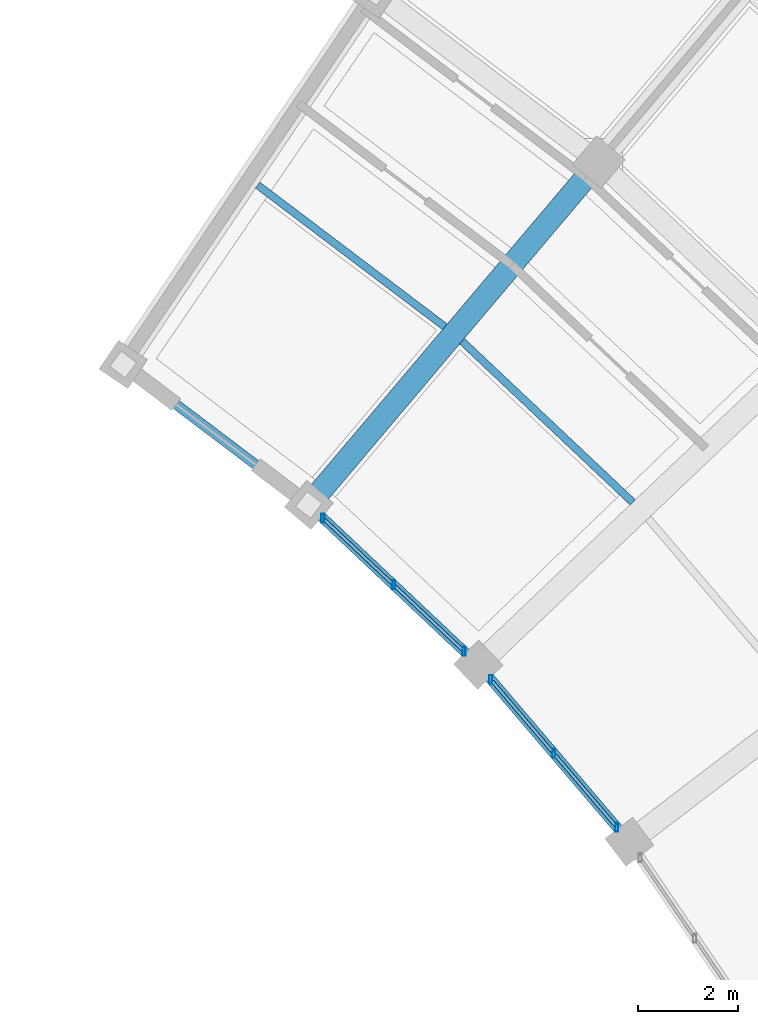
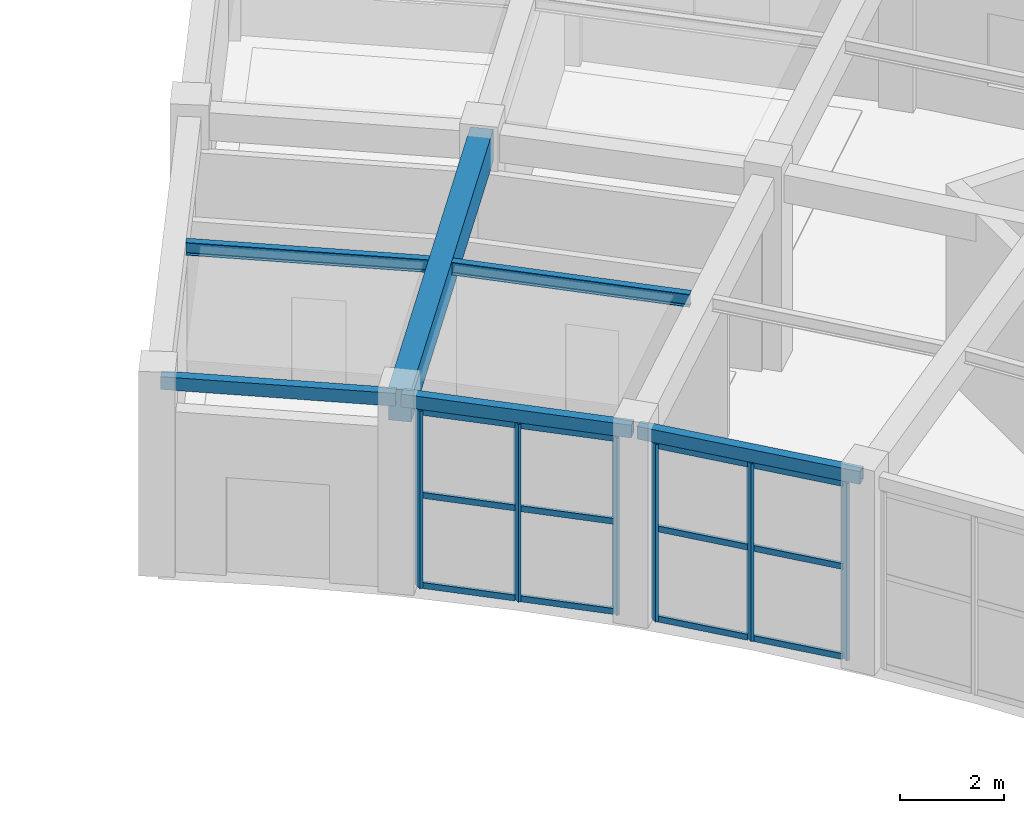
# One storey, part 73 of 108: 18 members, 6 beams, 2 elements without a shape of their own.
"""IFC4 building model written with IfcOpenShell, lengths in metres."""

from ifc_helpers import new_model, si_unit, direction, frame, origin, origin_2d, place, context, subcontext, project, spatial, rectangle, hollow_rectangle, i_section, extrude, material, material_profile, profile_set, type_object, element, aggregate, save


model = new_model("IFC4")

# Units and contexts
model_context = context("Model", 3, precision=1e-05, world=origin(), true_north=direction((0.0, 1.0)))
body_context = subcontext(model_context, "Body", "Model", "MODEL_VIEW")
ifc_project = project(units=[si_unit("LENGTHUNIT", "METRE"), si_unit("AREAUNIT", "SQUARE_METRE"), si_unit("VOLUMEUNIT", "CUBIC_METRE"), si_unit("PLANEANGLEUNIT", "RADIAN"), si_unit("MASSUNIT", "GRAM", prefix="KILO")], contexts=[model_context])

# Site, building, storey
site_placement = place(None, origin())
site = spatial("IfcSite", under=ifc_project, at=site_placement, CompositionType="ELEMENT")
building_placement = place(site_placement, origin())
building = spatial("IfcBuilding", under=site, at=building_placement, Name="Tarnveldt Headland Concert Hall", CompositionType="ELEMENT")
storey_placement = place(building_placement, origin())
storey = spatial("IfcBuildingStorey", under=building, at=storey_placement, Name="L00", CompositionType="ELEMENT", Elevation=0.0)

# Beam
ifc_material_1 = material(Name="Concrete C40/50", Category="concrete")
ifc_material_profile_1 = material_profile(ifc_material_1, rectangle(XDim=0.449951171875, YDim=0.75, at=origin_2d()), Name="RC 450x750", Category="concrete")
ifc_profile_set_1 = profile_set([ifc_material_profile_1], Name="Concrete C40/50")
beam_type_1 = type_object("IfcBeamType", Name="CB-450x750", PredefinedType="BEAM", material=ifc_profile_set_1)
beam_1_placement = place(storey_placement, frame((145.30615234375, 92.87841796875, 4.14501953125), z_axis=(0.645759819996, 0.763540604604, 0.0), x_axis=(-0.763540604604, 0.645759819996, 0.0)))
element("IfcBeam", 1, at=beam_1_placement, inside=storey, type_object=beam_type_1, Name="Framing beam L00-543", PredefinedType="BEAM", context=body_context, shape_type="SweptSolid", body=[
    extrude(rectangle(XDim=0.449951171875, YDim=0.75, at=origin_2d()), origin(), (0.0, 0.0, 1.0), 8.880126953125),
])

# Curtain wall, members
ifc_material_2 = material(Name="Marine-anodised aluminium EN AW-6063-T6", Category="aluminium")
curtain_wall_type = type_object("IfcCurtainWallType", Name="CW-C1", PredefinedType="NOTDEFINED", material=ifc_material_2)
curtain_wall_1_placement = place(storey_placement, origin())
curtain_wall_1 = element("IfcCurtainWall", 2, at=curtain_wall_1_placement, inside=storey, type_object=curtain_wall_type, Name="Curtain wall CW-L00-107", PredefinedType="NOTDEFINED")
ifc_material_profile_2 = material_profile(ifc_material_2, hollow_rectangle(XDim=0.06494140625, YDim=0.179931640625, WallThickness=0.00390625, at=origin_2d()), Name="ALU MULLION 65x180x4", Category="aluminium")
ifc_profile_set_2 = profile_set([ifc_material_profile_2], Name="Marine-anodised aluminium EN AW-6063-T6")
member_type_1 = type_object("IfcMemberType", Name="ML-180", PredefinedType="MULLION", material=ifc_profile_set_2)
member_1_placement = place(storey_placement, frame((151.437255859375, 86.374267578125, 0.0), z_axis=(0.0, 0.0, 1.0), x_axis=(1.0, 0.0, 0.0)))
member_1 = element("IfcMember", 3, at=member_1_placement, type_object=member_type_1, Name="Mullion CW-L00-107-1", PredefinedType="MULLION", context=body_context, shape_type="SweptSolid", body=[
    extrude(hollow_rectangle(XDim=0.06494140625, YDim=0.179931640625, WallThickness=0.00390625, at=origin_2d()), origin(), (0.0, 0.0, 1.0), 4.159912109375),
])
member_2_placement = place(storey_placement, frame((150.17626953125, 87.853515625, 0.0), z_axis=(0.0, 0.0, 1.0), x_axis=(1.0, 0.0, 0.0)))
member_2 = element("IfcMember", 4, at=member_2_placement, type_object=member_type_1, Name="Mullion CW-L00-107-2", PredefinedType="MULLION", context=body_context, shape_type="SweptSolid", body=[
    extrude(hollow_rectangle(XDim=0.06494140625, YDim=0.179931640625, WallThickness=0.00390625, at=origin_2d()), origin(), (0.0, 0.0, 1.0), 4.159912109375),
])
member_3_placement = place(storey_placement, frame((148.915283203125, 89.332763671875, 0.0), z_axis=(0.0, 0.0, 1.0), x_axis=(1.0, 0.0, 0.0)))
member_3 = element("IfcMember", 5, at=member_3_placement, type_object=member_type_1, Name="Mullion CW-L00-107-3", PredefinedType="MULLION", context=body_context, shape_type="SweptSolid", body=[
    extrude(hollow_rectangle(XDim=0.06494140625, YDim=0.179931640625, WallThickness=0.00390625, at=origin_2d()), origin(), (0.0, 0.0, 1.0), 4.159912109375),
])

curtain_wall_2_placement = place(storey_placement, origin())
curtain_wall_2 = element("IfcCurtainWall", 6, at=curtain_wall_2_placement, inside=storey, type_object=curtain_wall_type, Name="Curtain wall CW-L00-108", PredefinedType="NOTDEFINED")
member_4_placement = place(storey_placement, frame((148.378662109375, 89.897216796875, 0.0), z_axis=(0.0, 0.0, 1.0), x_axis=(1.0, 0.0, 0.0)))
member_4 = element("IfcMember", 7, at=member_4_placement, type_object=member_type_1, Name="Mullion CW-L00-108-1", PredefinedType="MULLION", context=body_context, shape_type="SweptSolid", body=[
    extrude(hollow_rectangle(XDim=0.06494140625, YDim=0.179931640625, WallThickness=0.00390625, at=origin_2d()), origin(), (0.0, 0.0, 1.0), 4.159912109375),
])
member_5_placement = place(storey_placement, frame((146.96484375, 91.23095703125, 0.0), z_axis=(0.0, 0.0, 1.0), x_axis=(1.0, 0.0, 0.0)))
member_5 = element("IfcMember", 8, at=member_5_placement, type_object=member_type_1, Name="Mullion CW-L00-108-2", PredefinedType="MULLION", context=body_context, shape_type="SweptSolid", body=[
    extrude(hollow_rectangle(XDim=0.06494140625, YDim=0.179931640625, WallThickness=0.00390625, at=origin_2d()), origin(), (0.0, 0.0, 1.0), 4.159912109375),
])
member_6_placement = place(storey_placement, frame((145.551025390625, 92.56494140625, 0.0), z_axis=(0.0, 0.0, 1.0), x_axis=(1.0, 0.0, 0.0)))
member_6 = element("IfcMember", 9, at=member_6_placement, type_object=member_type_1, Name="Mullion CW-L00-108-3", PredefinedType="MULLION", context=body_context, shape_type="SweptSolid", body=[
    extrude(hollow_rectangle(XDim=0.06494140625, YDim=0.179931640625, WallThickness=0.00390625, at=origin_2d()), origin(), (0.0, 0.0, 1.0), 4.159912109375),
])

# Beams
ifc_material_3 = material(Name="Steel S355", Category="steel")
ifc_material_profile_3 = material_profile(ifc_material_3, i_section(OverallWidth=0.14990234375, OverallDepth=0.300048828125, WebThickness=0.007080078125, FlangeThickness=0.0107421875, FilletRadius=0.014892578125, at=origin_2d()), Name="IPE300", Category="steel")
ifc_profile_set_3 = profile_set([ifc_material_profile_3], Name="Steel S355")
beam_type_2 = type_object("IfcBeamType", Name="SB-IPE300", PredefinedType="JOIST", material=ifc_profile_set_3)
beam_2_placement = place(storey_placement, frame((151.760009765625, 92.884521484375, 4.3701171875), z_axis=(-0.727377040492, 0.686238035207, 0.0), x_axis=(-0.686238035207, -0.727377040492, 0.0)))
element("IfcBeam", 10, at=beam_2_placement, inside=storey, type_object=beam_type_2, Name="Framing beam L00-541", PredefinedType="JOIST", context=body_context, shape_type="SweptSolid", body=[
    extrude(i_section(OverallWidth=0.14990234375, OverallDepth=0.300048828125, WebThickness=0.007080078125, FlangeThickness=0.0107421875, FilletRadius=0.014892578125, at=origin_2d()), origin(), (0.0, 0.0, 1.0), 4.7060546875),
])
beam_3_placement = place(storey_placement, frame((147.993896484375, 96.404296875, 4.3701171875), z_axis=(-0.797483973643, 0.603340129432, 0.0), x_axis=(-0.603340129432, -0.797483973643, 0.0)))
element("IfcBeam", 11, at=beam_3_placement, inside=storey, type_object=beam_type_2, Name="Framing beam L00-548", PredefinedType="JOIST", context=body_context, shape_type="SweptSolid", body=[
    extrude(i_section(OverallWidth=0.14990234375, OverallDepth=0.300048828125, WebThickness=0.007080078125, FlangeThickness=0.0107421875, FilletRadius=0.014892578125, at=origin_2d()), origin(), (0.0, 0.0, 1.0), 4.70556640625),
])
ifc_material_profile_4 = material_profile(ifc_material_3, hollow_rectangle(XDim=0.199951171875, YDim=0.300048828125, WallThickness=0.012451171875, at=origin_2d()), Name="RHS 300x200x12.5", Category="steel")
ifc_profile_set_4 = profile_set([ifc_material_profile_4], Name="Steel S355")
beam_type_3 = type_object("IfcBeamType", Name="SB-RHS300", PredefinedType="SPANDREL", material=ifc_profile_set_4)
beam_4_placement = place(storey_placement, frame((151.6513671875, 86.123046875, 4.3701171875), z_axis=(-0.648715315983, 0.761031168093, 0.0), x_axis=(-0.761031168093, -0.648715315983, 0.0)))
element("IfcBeam", 12, at=beam_4_placement, inside=storey, type_object=beam_type_3, Name="Framing beam L00-531", PredefinedType="SPANDREL", context=body_context, shape_type="SweptSolid", body=[
    extrude(hollow_rectangle(XDim=0.199951171875, YDim=0.300048828125, WallThickness=0.012451171875, at=origin_2d()), origin(), (0.0, 0.0, 1.0), 4.54736328125),
])
beam_5_placement = place(storey_placement, frame((148.618896484375, 89.670654296875, 4.3701171875), z_axis=(-0.72739567497, 0.686218283081, 0.0), x_axis=(-0.686218283081, -0.72739567497, 0.0)))
element("IfcBeam", 13, at=beam_5_placement, inside=storey, type_object=beam_type_3, Name="Framing beam L00-538", PredefinedType="SPANDREL", context=body_context, shape_type="SweptSolid", body=[
    extrude(hollow_rectangle(XDim=0.199951171875, YDim=0.300048828125, WallThickness=0.012451171875, at=origin_2d()), origin(), (0.0, 0.0, 1.0), 4.547607421875),
])
beam_6_placement = place(storey_placement, frame((145.219482421875, 92.86865234375, 4.3701171875), z_axis=(-0.797480390637, 0.603344865355, 0.0), x_axis=(-0.603344865355, -0.797480390637, 0.0)))
element("IfcBeam", 14, at=beam_6_placement, inside=storey, type_object=beam_type_3, Name="Framing beam L00-545", PredefinedType="SPANDREL", context=body_context, shape_type="SweptSolid", body=[
    extrude(hollow_rectangle(XDim=0.199951171875, YDim=0.300048828125, WallThickness=0.012451171875, at=origin_2d()), origin(), (0.0, 0.0, 1.0), 4.54736328125),
])

# Member
ifc_material_profile_5 = material_profile(ifc_material_2, hollow_rectangle(XDim=0.06494140625, YDim=0.139892578125, WallThickness=0.00390625, at=origin_2d()), Name="ALU TRANSOM 65x140x4", Category="aluminium")
ifc_profile_set_5 = profile_set([ifc_material_profile_5], Name="Marine-anodised aluminium EN AW-6063-T6")
member_type_2 = type_object("IfcMemberType", Name="TR-140", PredefinedType="MEMBER", material=ifc_profile_set_5)
member_7_placement = place(storey_placement, frame((151.408203125, 86.408203125, 0.050048828125), z_axis=(-0.648729176697, 0.761019352777, 0.0), x_axis=(-0.761019352777, -0.648729176697, 0.0)))
member_7 = element("IfcMember", 15, at=member_7_placement, type_object=member_type_2, Name="Transom CW-L00-107-1-1", PredefinedType="MEMBER", context=body_context, shape_type="SweptSolid", body=[
    extrude(hollow_rectangle(XDim=0.06494140625, YDim=0.139892578125, WallThickness=0.00390625, at=origin_2d()), origin(), (0.0, 0.0, 1.0), 1.8544921875),
])

member_8_placement = place(storey_placement, frame((151.408203125, 86.408203125, 2.1630859375), z_axis=(-0.648729176697, 0.761019352777, 0.0), x_axis=(-0.761019352777, -0.648729176697, 0.0)))
member_8 = element("IfcMember", 16, at=member_8_placement, type_object=member_type_2, Name="Transom CW-L00-107-1-2", PredefinedType="MEMBER", context=body_context, shape_type="SweptSolid", body=[
    extrude(hollow_rectangle(XDim=0.06494140625, YDim=0.139892578125, WallThickness=0.00390625, at=origin_2d()), origin(), (0.0, 0.0, 1.0), 1.8544921875),
])

member_9_placement = place(storey_placement, frame((151.408203125, 86.408203125, 4.110107421875), z_axis=(-0.648729176697, 0.761019352777, 0.0), x_axis=(-0.761019352777, -0.648729176697, 0.0)))
member_9 = element("IfcMember", 17, at=member_9_placement, type_object=member_type_2, Name="Transom CW-L00-107-1-3", PredefinedType="MEMBER", context=body_context, shape_type="SweptSolid", body=[
    extrude(hollow_rectangle(XDim=0.06494140625, YDim=0.139892578125, WallThickness=0.00390625, at=origin_2d()), origin(), (0.0, 0.0, 1.0), 1.8544921875),
])

member_10_placement = place(storey_placement, frame((150.1474609375, 87.88720703125, 0.050048828125), z_axis=(-0.648664190045, 0.761074745707, 0.0), x_axis=(-0.761074745707, -0.648664190045, 0.0)))
member_10 = element("IfcMember", 18, at=member_10_placement, type_object=member_type_2, Name="Transom CW-L00-107-2-1", PredefinedType="MEMBER", context=body_context, shape_type="SweptSolid", body=[
    extrude(hollow_rectangle(XDim=0.06494140625, YDim=0.139892578125, WallThickness=0.00390625, at=origin_2d()), origin(), (0.0, 0.0, 1.0), 1.854736328125),
])

member_11_placement = place(storey_placement, frame((150.1474609375, 87.88720703125, 2.1630859375), z_axis=(-0.648664190045, 0.761074745707, 0.0), x_axis=(-0.761074745707, -0.648664190045, 0.0)))
member_11 = element("IfcMember", 19, at=member_11_placement, type_object=member_type_2, Name="Transom CW-L00-107-2-2", PredefinedType="MEMBER", context=body_context, shape_type="SweptSolid", body=[
    extrude(hollow_rectangle(XDim=0.06494140625, YDim=0.139892578125, WallThickness=0.00390625, at=origin_2d()), origin(), (0.0, 0.0, 1.0), 1.854736328125),
])

member_12_placement = place(storey_placement, frame((150.1474609375, 87.88720703125, 4.110107421875), z_axis=(-0.648664190045, 0.761074745707, 0.0), x_axis=(-0.761074745707, -0.648664190045, 0.0)))
member_12 = element("IfcMember", 20, at=member_12_placement, type_object=member_type_2, Name="Transom CW-L00-107-2-3", PredefinedType="MEMBER", context=body_context, shape_type="SweptSolid", body=[
    extrude(hollow_rectangle(XDim=0.06494140625, YDim=0.139892578125, WallThickness=0.00390625, at=origin_2d()), origin(), (0.0, 0.0, 1.0), 1.854736328125),
])

aggregate(curtain_wall_1, [member_1, member_2, member_3, member_7, member_8, member_9, member_10, member_11, member_12])

member_13_placement = place(storey_placement, frame((148.34619140625, 89.927490234375, 0.050048828125), z_axis=(-0.72727958749, 0.686341315688, 0.0), x_axis=(-0.686341315688, -0.72727958749, 0.0)))
member_13 = element("IfcMember", 21, at=member_13_placement, type_object=member_type_2, Name="Transom CW-L00-108-1-1", PredefinedType="MEMBER", context=body_context, shape_type="SweptSolid", body=[
    extrude(hollow_rectangle(XDim=0.06494140625, YDim=0.139892578125, WallThickness=0.00390625, at=origin_2d()), origin(), (0.0, 0.0, 1.0), 1.854736328125),
])

member_14_placement = place(storey_placement, frame((148.34619140625, 89.927490234375, 2.1630859375), z_axis=(-0.72727958749, 0.686341315688, 0.0), x_axis=(-0.686341315688, -0.72727958749, 0.0)))
member_14 = element("IfcMember", 22, at=member_14_placement, type_object=member_type_2, Name="Transom CW-L00-108-1-2", PredefinedType="MEMBER", context=body_context, shape_type="SweptSolid", body=[
    extrude(hollow_rectangle(XDim=0.06494140625, YDim=0.139892578125, WallThickness=0.00390625, at=origin_2d()), origin(), (0.0, 0.0, 1.0), 1.854736328125),
])

member_15_placement = place(storey_placement, frame((148.34619140625, 89.927490234375, 4.110107421875), z_axis=(-0.72727958749, 0.686341315688, 0.0), x_axis=(-0.686341315688, -0.72727958749, 0.0)))
member_15 = element("IfcMember", 23, at=member_15_placement, type_object=member_type_2, Name="Transom CW-L00-108-1-3", PredefinedType="MEMBER", context=body_context, shape_type="SweptSolid", body=[
    extrude(hollow_rectangle(XDim=0.06494140625, YDim=0.139892578125, WallThickness=0.00390625, at=origin_2d()), origin(), (0.0, 0.0, 1.0), 1.854736328125),
])

member_16_placement = place(storey_placement, frame((146.9326171875, 91.261474609375, 0.050048828125), z_axis=(-0.727341586826, 0.686275612326, 0.0), x_axis=(-0.686275612326, -0.727341586826, 0.0)))
member_16 = element("IfcMember", 24, at=member_16_placement, type_object=member_type_2, Name="Transom CW-L00-108-2-1", PredefinedType="MEMBER", context=body_context, shape_type="SweptSolid", body=[
    extrude(hollow_rectangle(XDim=0.06494140625, YDim=0.139892578125, WallThickness=0.00390625, at=origin_2d()), origin(), (0.0, 0.0, 1.0), 1.85498046875),
])

member_17_placement = place(storey_placement, frame((146.9326171875, 91.261474609375, 2.1630859375), z_axis=(-0.727341586826, 0.686275612326, 0.0), x_axis=(-0.686275612326, -0.727341586826, 0.0)))
member_17 = element("IfcMember", 25, at=member_17_placement, type_object=member_type_2, Name="Transom CW-L00-108-2-2", PredefinedType="MEMBER", context=body_context, shape_type="SweptSolid", body=[
    extrude(hollow_rectangle(XDim=0.06494140625, YDim=0.139892578125, WallThickness=0.00390625, at=origin_2d()), origin(), (0.0, 0.0, 1.0), 1.85498046875),
])

member_18_placement = place(storey_placement, frame((146.9326171875, 91.261474609375, 4.110107421875), z_axis=(-0.727341586826, 0.686275612326, 0.0), x_axis=(-0.686275612326, -0.727341586826, 0.0)))
member_18 = element("IfcMember", 26, at=member_18_placement, type_object=member_type_2, Name="Transom CW-L00-108-2-3", PredefinedType="MEMBER", context=body_context, shape_type="SweptSolid", body=[
    extrude(hollow_rectangle(XDim=0.06494140625, YDim=0.139892578125, WallThickness=0.00390625, at=origin_2d()), origin(), (0.0, 0.0, 1.0), 1.85498046875),
])

aggregate(curtain_wall_2, [member_4, member_5, member_6, member_13, member_14, member_15, member_16, member_17, member_18])

save(model, "model.ifc")
